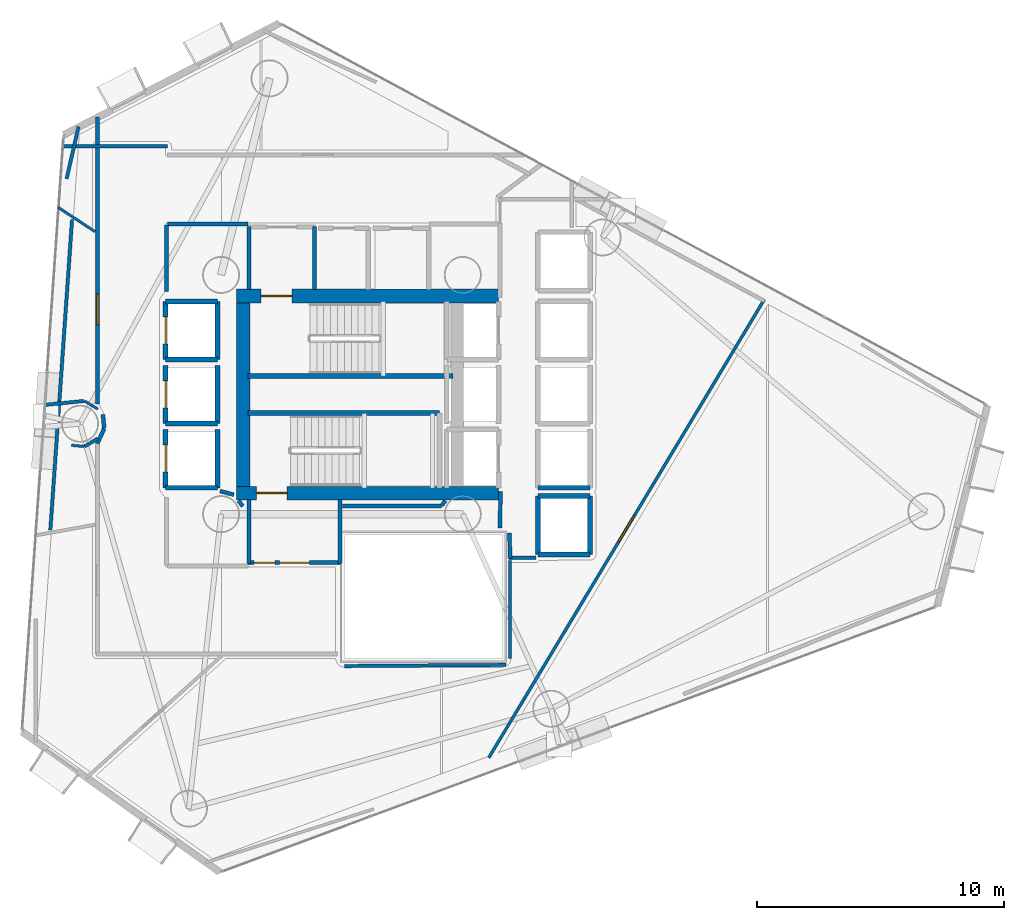
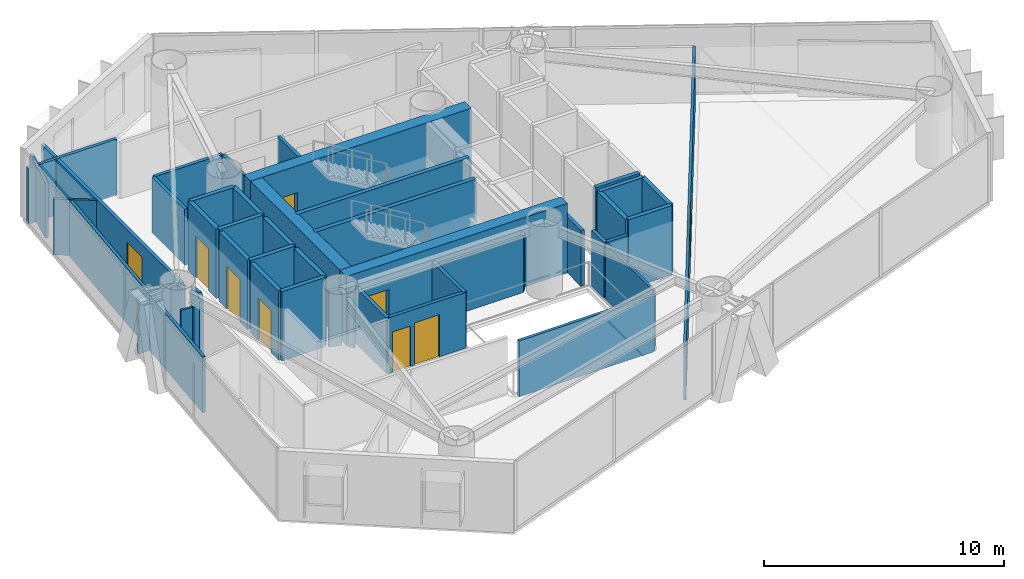
# One storey, part 16 of 21: 48 walls, 9 doors, 9 openings.
"""IFC4 building model written with IfcOpenShell, lengths in metres."""

from ifc_helpers import new_model, si_unit, direction, frame, frame_2d, origin, place, context, subcontext, project, spatial, rectangle, extrude, material, layer, layer_set, type_object, element, fill, save


model = new_model("IFC4")

# Units and contexts
model_context = context("Model", 3, precision=1e-05, world=origin(), true_north=direction((0.0, 1.0)))
body_context = subcontext(model_context, "Body", "Model", "MODEL_VIEW")
ifc_project = project(units=[si_unit("LENGTHUNIT", "METRE"), si_unit("AREAUNIT", "SQUARE_METRE"), si_unit("VOLUMEUNIT", "CUBIC_METRE"), si_unit("PLANEANGLEUNIT", "RADIAN"), si_unit("MASSUNIT", "GRAM", prefix="KILO")], contexts=[model_context])

# Site, building, storey
site_placement = place(None, origin())
site = spatial("IfcSite", under=ifc_project, at=site_placement, CompositionType="ELEMENT")
building_placement = place(site_placement, origin())
building = spatial("IfcBuilding", under=site, at=building_placement, Name="Qianvela Tower", CompositionType="ELEMENT")
storey_placement = place(building_placement, frame((0.0, 0.0, 127.39990234375)))
storey = spatial("IfcBuildingStorey", under=building, at=storey_placement, Name="L32", CompositionType="ELEMENT", Elevation=127.39990234375)

# Wall, opening, door
ifc_material_1 = material(Name="Concrete C60", Category="concrete")
ifc_layer_1 = layer(ifc_material_1, 0.550048828125)
ifc_layer_set_1 = layer_set([ifc_layer_1], Name="Concrete C60")
wall_type_1 = type_object("IfcWallType", Name="WT-CORE-550", PredefinedType="SHEAR", material=ifc_layer_set_1)
wall_1_placement = place(storey_placement, frame((29.22998046875, 32.695068359375, 0.0), z_axis=(0.0, 0.0, 1.0), x_axis=(1.0, 0.0, 0.0)))
wall_1 = element("IfcWall", 1, at=wall_1_placement, inside=storey, type_object=wall_type_1, Name="L32 North Core Shear Wall", PredefinedType="SHEAR", context=body_context, shape_type="SweptSolid", body=[
    extrude(rectangle(XDim=10.6201171875, YDim=0.550048828125, at=frame_2d((5.31005859375, 0.0))), origin(), (0.0, 0.0, 1.0), 3.52001953125),
])
opening_1_placement = place(wall_1_placement, frame((0.9951171875, 0.0, 0.0)))
opening_1 = element("IfcOpeningElement", 2, at=opening_1_placement, cuts=wall_1, Name="Opening D-ST1", PredefinedType="OPENING", context=body_context, shape_type="SweptSolid", body=[
    extrude(rectangle(XDim=1.25, YDim=2.14990234375, at=frame_2d((0.625, 1.074951171875))), frame((0.0, 0.284912109375, 0.0), z_axis=(0.0, -1.0, 0.0), x_axis=(1.0, 0.0, 0.0)), (0.0, 0.0, 1.0), 0.570068359375),
])
ifc_material_2 = material(Name="Galvanised Fire Steel Q355B", Category="steel")
door_type_1 = type_object("IfcDoorType", Name="DT-STAIR-FD90", OperationType="NOTDEFINED", PredefinedType="DOOR", material=ifc_material_2)
door_1_placement = place(opening_1_placement, origin())
door_1 = element("IfcDoor", 3, at=door_1_placement, inside=storey, type_object=door_type_1, Name="L32 Stair ST-1 Exit Door", OperationType="SINGLE_SWING_RIGHT", OverallHeight=2.14990234375, OverallWidth=1.25, PredefinedType="DOOR", context=body_context, shape_type="SweptSolid", body=[
    extrude(rectangle(XDim=1.25, YDim=2.14990234375, at=frame_2d((0.625, 1.074951171875))), frame((0.0, 0.02490234375, 0.0), z_axis=(0.0, -1.0, 0.0), x_axis=(1.0, 0.0, 0.0)), (0.0, 0.0, 1.0), 0.050048828125),
])
fill(opening_1, door_1)

wall_2_placement = place(storey_placement, frame((29.22998046875, 24.705078125, 0.0), z_axis=(0.0, 0.0, 1.0), x_axis=(1.0, 0.0, 0.0)))
wall_2 = element("IfcWall", 4, at=wall_2_placement, inside=storey, type_object=wall_type_1, Name="L32 South Core Shear Wall", PredefinedType="SHEAR", context=body_context, shape_type="SweptSolid", body=[
    extrude(rectangle(XDim=10.6201171875, YDim=0.550048828125, at=frame_2d((5.31005859375, 0.0))), origin(), (0.0, 0.0, 1.0), 3.52001953125),
])
opening_2_placement = place(wall_2_placement, frame((0.794921875, 0.0, 0.0)))
opening_2 = element("IfcOpeningElement", 5, at=opening_2_placement, cuts=wall_2, Name="Opening D-ST1", PredefinedType="OPENING", context=body_context, shape_type="SweptSolid", body=[
    extrude(rectangle(XDim=1.25, YDim=2.14990234375, at=frame_2d((0.625, 1.074951171875))), frame((0.0, 0.284912109375, 0.0), z_axis=(0.0, -1.0, 0.0), x_axis=(1.0, 0.0, 0.0)), (0.0, 0.0, 1.0), 0.570068359375),
])
door_2_placement = place(opening_2_placement, origin())
door_2 = element("IfcDoor", 6, at=door_2_placement, inside=storey, type_object=door_type_1, Name="L32 Stair ST-2 Exit Door", OperationType="SINGLE_SWING_RIGHT", OverallHeight=2.14990234375, OverallWidth=1.25, PredefinedType="DOOR", context=body_context, shape_type="SweptSolid", body=[
    extrude(rectangle(XDim=1.25, YDim=2.14990234375, at=frame_2d((0.625, 1.074951171875))), frame((0.0, 0.02490234375, 0.0), z_axis=(0.0, -1.0, 0.0), x_axis=(1.0, 0.0, 0.0)), (0.0, 0.0, 1.0), 0.050048828125),
])
fill(opening_2, door_2)

# Walls
wall_3_placement = place(storey_placement, frame((29.5048828125, 24.97998046875, 0.0), z_axis=(0.0, 0.0, 1.0), x_axis=(0.0, 1.0, 0.0)))
element("IfcWall", 7, at=wall_3_placement, inside=storey, type_object=wall_type_1, Name="L32 West Core Shear Wall", PredefinedType="SHEAR", context=body_context, shape_type="SweptSolid", body=[
    extrude(rectangle(XDim=7.43994140625, YDim=0.550048828125, at=frame_2d((3.719970703125, 0.0))), origin(), (0.0, 0.0, 1.0), 3.52001953125),
])
ifc_material_3 = material(Name="Fire-Rated Gypsum and Concrete Block", Category="concrete")
ifc_layer_2 = layer(ifc_material_3, 0.159912109375)
ifc_layer_set_2 = layer_set([ifc_layer_2], Name="Fire-Rated Gypsum and Concrete Block")
wall_type_2 = type_object("IfcWallType", Name="WT-CORR-160", PredefinedType="PARTITIONING", material=ifc_layer_set_2)
for number, where, z_axis, x_axis, name in (
    (8, (29.73095703125, 32.9580078125, 0.0), (0.0, 0.0, 1.0), (0.0, 1.0, 0.0), "L32 Partition 2"),
    (9, (32.388916015625, 35.52001953125, 0.0), (0.0, 0.0, 1.0), (0.0, -1.0, 0.0), "L32 Partition 4"),
):
    element("IfcWall", number, at=place(storey_placement, frame(where, z_axis=z_axis, x_axis=x_axis)), inside=storey, type_object=wall_type_2, Name=name, PredefinedType="PARTITIONING", context=body_context, shape_type="SweptSolid", body=[
        extrude(rectangle(XDim=2.56201171875, YDim=0.159912109375, at=frame_2d((1.281005859375, 0.0))), origin(), (0.0, 0.0, 1.0), 2.840087890625),
    ])

# Wall, openings, doors
wall_4_placement = place(storey_placement, frame((33.449951171875, 21.881103515625, 0.0), z_axis=(0.0, 0.0, 1.0), x_axis=(-1.0, 0.0, 0.0)))
wall_4 = element("IfcWall", 10, at=wall_4_placement, inside=storey, type_object=wall_type_2, Name="L32 Partition 5", PredefinedType="PARTITIONING", context=body_context, shape_type="SweptSolid", body=[
    extrude(rectangle(XDim=3.75, YDim=0.159912109375, at=frame_2d((1.875, 0.0))), origin(), (0.0, 0.0, 1.0), 2.840087890625),
])
opening_3_placement = place(wall_4_placement, frame((1.27490234375, 0.0, 0.0)))
opening_3 = element("IfcOpeningElement", 11, at=opening_3_placement, cuts=wall_4, Name="Opening D-LB1", PredefinedType="OPENING", context=body_context, shape_type="SweptSolid", body=[
    extrude(rectangle(XDim=1.199951171875, YDim=2.14990234375, at=frame_2d((0.60009765625, 1.074951171875))), frame((0.0, 0.08984375, 0.0), z_axis=(0.0, -1.0, 0.0), x_axis=(1.0, 0.0, 0.0)), (0.0, 0.0, 1.0), 0.179931640625),
])
opening_4_placement = place(wall_4_placement, frame((2.659912109375, 0.0, 0.0)))
opening_4 = element("IfcOpeningElement", 12, at=opening_4_placement, cuts=wall_4, Name="Opening D-LB2", PredefinedType="OPENING", context=body_context, shape_type="SweptSolid", body=[
    extrude(rectangle(XDim=0.860107421875, YDim=2.050048828125, at=frame_2d((0.43017578125, 1.02490234375))), frame((0.0, 0.08984375, 0.0), z_axis=(0.0, -1.0, 0.0), x_axis=(1.0, 0.0, 0.0)), (0.0, 0.0, 1.0), 0.179931640625),
])
ifc_material_4 = material(Name="Glazed Fire-Rated Steel Frame", Category="steel")
door_type_2 = type_object("IfcDoorType", Name="DT-LOBBY-FD90", OperationType="NOTDEFINED", PredefinedType="DOOR", material=ifc_material_4)
door_3_placement = place(opening_3_placement, origin())
door_3 = element("IfcDoor", 13, at=door_3_placement, inside=storey, type_object=door_type_2, Name="L32 Door L32 Firefighting Lobby South to L32 Floor Corridor", OperationType="SINGLE_SWING_LEFT", OverallHeight=2.14990234375, OverallWidth=1.199951171875, PredefinedType="DOOR", context=body_context, shape_type="SweptSolid", body=[
    extrude(rectangle(XDim=1.199951171875, YDim=2.14990234375, at=frame_2d((0.60009765625, 1.074951171875))), frame((0.0, 0.02490234375, 0.0), z_axis=(0.0, -1.0, 0.0), x_axis=(1.0, 0.0, 0.0)), (0.0, 0.0, 1.0), 0.050048828125),
])
fill(opening_3, door_3)
ifc_material_5 = material(Name="Insulated Steel Fire Door Q355B", Category="steel")
door_type_3 = type_object("IfcDoorType", Name="DT-LOBBY-FD90-860", OperationType="NOTDEFINED", PredefinedType="DOOR", material=ifc_material_5)
door_4_placement = place(opening_4_placement, origin())
door_4 = element("IfcDoor", 14, at=door_4_placement, inside=storey, type_object=door_type_3, Name="L32 Door L32 Firefighting Lobby South to L32 Floor Corridor", OperationType="SINGLE_SWING_LEFT", OverallHeight=2.050048828125, OverallWidth=0.860107421875, PredefinedType="DOOR", context=body_context, shape_type="SweptSolid", body=[
    extrude(rectangle(XDim=0.860107421875, YDim=2.050048828125, at=frame_2d((0.43017578125, 1.02490234375))), frame((0.0, 0.02490234375, 0.0), z_axis=(0.0, -1.0, 0.0), x_axis=(1.0, 0.0, 0.0)), (0.0, 0.0, 1.0), 0.050048828125),
])
fill(opening_4, door_4)

# Walls
for number, where, z_axis, x_axis, name in (
    (15, (29.73095703125, 21.85009765625, 0.0), (0.0, 0.0, 1.0), (0.0, 1.0, 0.0), "L32 Partition 6"),
    (16, (33.4189453125, 24.44189453125, 0.0), (0.0, 0.0, 1.0), (0.0, -1.0, 0.0), "L32 Partition 8"),
):
    element("IfcWall", number, at=place(storey_placement, frame(where, z_axis=z_axis, x_axis=x_axis)), inside=storey, type_object=wall_type_2, Name=name, PredefinedType="PARTITIONING", context=body_context, shape_type="SweptSolid", body=[
        extrude(rectangle(XDim=2.591796875, YDim=0.159912109375, at=frame_2d((1.2958984375, 0.0))), origin(), (0.0, 0.0, 1.0), 2.840087890625),
    ])
wall_5_placement = place(storey_placement, frame((41.360107421875, 22.0810546875, 0.0), z_axis=(0.0, 0.0, 1.0), x_axis=(-1.0, 0.0, 0.0)))
element("IfcWall", 17, at=wall_5_placement, inside=storey, type_object=wall_type_2, Name="L32 Partition 15", PredefinedType="PARTITIONING", context=body_context, shape_type="SweptSolid", body=[
    extrude(rectangle(XDim=1.080078125, YDim=0.159912109375, at=frame_2d((0.5400390625, 0.0))), origin(), (0.0, 0.0, 1.0), 2.840087890625),
])
wall_6_placement = place(storey_placement, frame((40.31103515625, 22.05029296875, 0.0), z_axis=(0.0, 0.0, 1.0), x_axis=(-0.011836292006, 0.999929948642, 0.0)))
element("IfcWall", 18, at=wall_6_placement, inside=storey, type_object=wall_type_2, Name="L32 Partition 16", PredefinedType="PARTITIONING", context=body_context, shape_type="SweptSolid", body=[
    extrude(rectangle(XDim=1.03125, YDim=0.159912109375, at=frame_2d((0.515625, 0.0))), origin(), (0.0, 0.0, 1.0), 2.840087890625),
])
wall_7_placement = place(storey_placement, frame((39.910888671875, 23.27978515625, 0.0), z_axis=(0.0, 0.0, 1.0), x_axis=(0.009397771291, 0.999955839972, 0.0)))
element("IfcWall", 19, at=wall_7_placement, inside=storey, type_object=wall_type_2, Name="L32 Partition 17", PredefinedType="PARTITIONING", context=body_context, shape_type="SweptSolid", body=[
    extrude(rectangle(XDim=1.480712890625, YDim=0.159912109375, at=frame_2d((0.740234375, 0.0))), origin(), (0.0, 0.0, 1.0), 2.840087890625),
])
wall_8_placement = place(storey_placement, frame((29.47998046875, 24.1689453125, 0.0), z_axis=(0.0, 0.0, 1.0), x_axis=(-0.607608252226, 0.794236873878, 0.0)))
element("IfcWall", 20, at=wall_8_placement, inside=storey, type_object=wall_type_2, Name="L32 Partition 30", PredefinedType="PARTITIONING", context=body_context, shape_type="SweptSolid", body=[
    extrude(rectangle(XDim=0.286376953125, YDim=0.159912109375, at=frame_2d((0.14306640625, 0.0))), origin(), (0.0, 0.0, 1.0), 2.840087890625),
])
wall_9_placement = place(storey_placement, frame((29.113525390625, 24.63671875, 0.0), z_axis=(0.0, 0.0, 1.0), x_axis=(-0.966199685486, 0.257794817183, 0.0)))
element("IfcWall", 21, at=wall_9_placement, inside=storey, type_object=wall_type_2, Name="L32 Partition 31", PredefinedType="PARTITIONING", context=body_context, shape_type="SweptSolid", body=[
    extrude(rectangle(XDim=0.574951171875, YDim=0.159912109375, at=frame_2d((0.28759765625, 0.0))), origin(), (0.0, 0.0, 1.0), 2.840087890625),
])
wall_10_placement = place(storey_placement, frame((37.694091796875, 24.396484375, 0.0), z_axis=(0.0, 0.0, 1.0), x_axis=(-0.607118658061, -0.794611184815, 0.0)))
element("IfcWall", 22, at=wall_10_placement, inside=storey, type_object=wall_type_2, Name="L32 Partition 38", PredefinedType="PARTITIONING", context=body_context, shape_type="SweptSolid", body=[
    extrude(rectangle(XDim=0.24609375, YDim=0.159912109375, at=frame_2d((0.123046875, 0.0))), origin(), (0.0, 0.0, 1.0), 2.840087890625),
])
wall_11_placement = place(storey_placement, frame((37.544677734375, 24.180908203125, 0.0), z_axis=(0.0, 0.0, 1.0), x_axis=(-1.0, 0.0, 0.0)))
element("IfcWall", 23, at=wall_11_placement, inside=storey, type_object=wall_type_2, Name="L32 Partition 39", PredefinedType="PARTITIONING", context=body_context, shape_type="SweptSolid", body=[
    extrude(rectangle(XDim=4.0146484375, YDim=0.159912109375, at=frame_2d((2.00732421875, 0.0))), origin(), (0.0, 0.0, 1.0), 2.840087890625),
])

# Wall, opening, door
wall_12_placement = place(storey_placement, frame((23.5810546875, 28.306640625, 0.0), z_axis=(0.0, 0.0, 1.0), x_axis=(0.0, 1.0, 0.0)))
wall_12 = element("IfcWall", 24, at=wall_12_placement, inside=storey, type_object=wall_type_2, Name="L32 Partition 40", PredefinedType="PARTITIONING", context=body_context, shape_type="SweptSolid", body=[
    extrude(rectangle(XDim=11.655517578125, YDim=0.159912109375, at=frame_2d((5.82763671875, 0.0))), origin(), (0.0, 0.0, 1.0), 2.840087890625),
])
opening_5_placement = place(wall_12_placement, frame((3.223388671875, 0.0, 0.0)))
opening_5 = element("IfcOpeningElement", 25, at=opening_5_placement, cuts=wall_12, Name="Opening D-LG1", PredefinedType="OPENING", context=body_context, shape_type="SweptSolid", body=[
    extrude(rectangle(XDim=1.25, YDim=2.199951171875, at=frame_2d((0.625, 1.10009765625))), frame((0.0, 0.08984375, 0.0), z_axis=(0.0, -1.0, 0.0), x_axis=(1.0, 0.0, 0.0)), (0.0, 0.0, 1.0), 0.179931640625),
])
ifc_material_6 = material(Name="Anodised Aluminium Acoustic Glass Door", Category="aluminium")
door_type_4 = type_object("IfcDoorType", Name="DT-LOUNGE-1250", OperationType="NOTDEFINED", PredefinedType="DOOR", material=ifc_material_6)
door_5_placement = place(opening_5_placement, origin())
door_5 = element("IfcDoor", 26, at=door_5_placement, inside=storey, type_object=door_type_4, Name="L32 Door Panoramic Study Lounge L32-03 to L32 Floor Corridor", OperationType="SINGLE_SWING_RIGHT", OverallHeight=2.199951171875, OverallWidth=1.25, PredefinedType="DOOR", context=body_context, shape_type="SweptSolid", body=[
    extrude(rectangle(XDim=1.25, YDim=2.199951171875, at=frame_2d((0.625, 1.10009765625))), frame((0.0, 0.02490234375, 0.0), z_axis=(0.0, -1.0, 0.0), x_axis=(1.0, 0.0, 0.0)), (0.0, 0.0, 1.0), 0.050048828125),
])
fill(opening_5, door_5)

# Walls
wall_13_placement = place(storey_placement, frame((22.166259765625, 38.76904296875, 0.0), z_axis=(0.0, 0.0, 1.0), x_axis=(1.0, 0.0, 0.0)))
element("IfcWall", 27, at=wall_13_placement, inside=storey, type_object=wall_type_2, Name="L32 Partition 41", PredefinedType="PARTITIONING", context=body_context, shape_type="SweptSolid", body=[
    extrude(rectangle(XDim=4.253662109375, YDim=0.159912109375, at=frame_2d((2.126953125, 0.0))), origin(), (0.0, 0.0, 1.0), 2.840087890625),
])
wall_14_placement = place(storey_placement, frame((29.699951171875, 35.611083984375, 0.0), z_axis=(0.0, 0.0, 1.0), x_axis=(-1.0, 0.0, 0.0)))
element("IfcWall", 28, at=wall_14_placement, inside=storey, type_object=wall_type_2, Name="L32 Partition 46 seg 4", PredefinedType="PARTITIONING", context=body_context, shape_type="SweptSolid", body=[
    extrude(rectangle(XDim=3.280029296875, YDim=0.159912109375, at=frame_2d((1.64013671875, 0.0))), origin(), (0.0, 0.0, 1.0), 2.840087890625),
])
wall_15_placement = place(storey_placement, frame((26.388916015625, 35.580078125, 0.0), z_axis=(0.0, 0.0, 1.0), x_axis=(0.0, -1.0, 0.0)))
element("IfcWall", 29, at=wall_15_placement, inside=storey, type_object=wall_type_2, Name="L32 Partition 47", PredefinedType="PARTITIONING", context=body_context, shape_type="SweptSolid", body=[
    extrude(rectangle(XDim=2.71044921875, YDim=0.159912109375, at=frame_2d((1.355224609375, 0.0))), origin(), (0.0, 0.0, 1.0), 2.840087890625),
])
wall_16_placement = place(storey_placement, frame((23.578125, 26.71240234375, 0.0), z_axis=(0.0, 0.0, 1.0), x_axis=(0.421251946418, 0.906943657367, 0.0)))
element("IfcWall", 30, at=wall_16_placement, inside=storey, type_object=wall_type_2, Name="L32 Partition 53", PredefinedType="PARTITIONING", context=body_context, shape_type="SweptSolid", body=[
    extrude(rectangle(XDim=0.6630859375, YDim=0.159912109375, at=frame_2d((0.33154296875, 0.0))), origin(), (0.0, 0.0, 1.0), 2.840087890625),
])
wall_17_placement = place(storey_placement, frame((23.860107421875, 27.329833984375, 0.0), z_axis=(0.0, 0.0, 1.0), x_axis=(-0.098000919071, 0.995186324193, 0.0)))
element("IfcWall", 31, at=wall_17_placement, inside=storey, type_object=wall_type_2, Name="L32 Partition 54", PredefinedType="PARTITIONING", context=body_context, shape_type="SweptSolid", body=[
    extrude(rectangle(XDim=0.56298828125, YDim=0.159912109375, at=frame_2d((0.281494140625, 0.0))), origin(), (0.0, 0.0, 1.0), 2.840087890625),
])
ifc_material_7 = material(Name="Lightweight Gypsum Room Partition")
ifc_layer_3 = layer(ifc_material_7, 0.10498046875)
ifc_layer_set_3 = layer_set([ifc_layer_3], Name="Lightweight Gypsum Room Partition")
wall_type_3 = type_object("IfcWallType", Name="WT-PART-105", PredefinedType="PARTITIONING", material=ifc_layer_set_3)
wall_18_placement = place(storey_placement, frame((23.487060546875, 35.304931640625, 0.0), z_axis=(0.0, 0.0, 1.0), x_axis=(-0.835441859879, 0.549578837623, 0.0)))
element("IfcWall", 32, at=wall_18_placement, inside=storey, type_object=wall_type_3, Name="L32 Partition 65", PredefinedType="PARTITIONING", context=body_context, shape_type="SweptSolid", body=[
    extrude(rectangle(XDim=1.785888671875, YDim=0.10498046875, at=frame_2d((0.89306640625, 0.0))), origin(), (0.0, 0.0, 1.0), 2.840087890625),
])
wall_19_placement = place(storey_placement, frame((23.600341796875, 28.109619140625, 0.0), z_axis=(0.0, 0.0, 1.0), x_axis=(-0.851712341449, 0.524009625316, 0.0)))
element("IfcWall", 33, at=wall_19_placement, inside=storey, type_object=wall_type_3, Name="L32 Partition 68", PredefinedType="PARTITIONING", context=body_context, shape_type="SweptSolid", body=[
    extrude(rectangle(XDim=0.62060546875, YDim=0.10498046875, at=frame_2d((0.310302734375, 0.0))), origin(), (0.0, 0.0, 1.0), 2.840087890625),
])
wall_20_placement = place(storey_placement, frame((22.526611328125, 26.644287109375, 0.0), z_axis=(0.0, 0.0, 1.0), x_axis=(0.995191506225, -0.09794828195, 0.0)))
element("IfcWall", 34, at=wall_20_placement, inside=storey, type_object=wall_type_3, Name="L32 Partition 74", PredefinedType="PARTITIONING", context=body_context, shape_type="SweptSolid", body=[
    extrude(rectangle(XDim=0.5283203125, YDim=0.10498046875, at=frame_2d((0.26416015625, 0.0))), origin(), (0.0, 0.0, 1.0), 2.840087890625),
])

# Wall, opening, door
ifc_material_8 = material(Name="Insulated Gypsum Stud Partition")
ifc_layer_4 = layer(ifc_material_8, 0.1201171875)
ifc_layer_set_4 = layer_set([ifc_layer_4], Name="Insulated Gypsum Stud Partition")
wall_type_4 = type_object("IfcWallType", Name="WT-PART-120", PredefinedType="PARTITIONING", material=ifc_layer_set_4)
wall_21_placement = place(storey_placement, frame((50.61669921875, 32.53662109375, 0.0), z_axis=(0.0, 0.0, 1.0), x_axis=(-0.515345747217, -0.85698235736, 0.0)))
wall_21 = element("IfcWall", 35, at=wall_21_placement, inside=storey, type_object=wall_type_4, Name="L32 Partition 88", PredefinedType="PARTITIONING", context=body_context, shape_type="SweptSolid", body=[
    extrude(rectangle(XDim=21.662353515625, YDim=0.1201171875, at=frame_2d((10.8310546875, 0.0))), origin(), (0.0, 0.0, 1.0), 2.840087890625),
])
opening_6_placement = place(wall_21_placement, frame((10.2060546875, 0.0, 0.0)))
opening_6 = element("IfcOpeningElement", 36, at=opening_6_placement, cuts=wall_21, Name="Opening D-LG1", PredefinedType="OPENING", context=body_context, shape_type="SweptSolid", body=[
    extrude(rectangle(XDim=1.25, YDim=2.199951171875, at=frame_2d((0.625, 1.10009765625))), frame((0.0, 0.070068359375, 0.0), z_axis=(0.0, -1.0, 0.0), x_axis=(1.0, 0.0, 0.0)), (0.0, 0.0, 1.0), 0.14013671875),
])
door_6_placement = place(opening_6_placement, origin())
door_6 = element("IfcDoor", 37, at=door_6_placement, inside=storey, type_object=door_type_4, Name="L32 Door Academic Advising Lounge L32-04B to Peer Support Study Room L32-04A", OperationType="SINGLE_SWING_RIGHT", OverallHeight=2.199951171875, OverallWidth=1.25, PredefinedType="DOOR", context=body_context, shape_type="SweptSolid", body=[
    extrude(rectangle(XDim=1.25, YDim=2.199951171875, at=frame_2d((0.625, 1.10009765625))), frame((0.0, 0.02490234375, 0.0), z_axis=(0.0, -1.0, 0.0), x_axis=(1.0, 0.0, 0.0)), (0.0, 0.0, 1.0), 0.050048828125),
])
fill(opening_6, door_6)

# Walls
wall_22_placement = place(storey_placement, frame((40.31103515625, 18.0, 0.0), z_axis=(0.0, 0.0, 1.0), x_axis=(0.0, 1.0, 0.0)))
element("IfcWall", 38, at=wall_22_placement, inside=storey, type_object=wall_type_4, Name="L32 Partition 94 seg 1", PredefinedType="PARTITIONING", context=body_context, shape_type="SweptSolid", body=[
    extrude(rectangle(XDim=3.969970703125, YDim=0.1201171875, at=frame_2d((1.98486328125, 0.0))), origin(), (0.0, 0.0, 1.0), 2.840087890625),
])
ifc_material_9 = material(Name="Acoustic Double Gypsum Stud Partition")
ifc_layer_5 = layer(ifc_material_9, 0.139892578125)
ifc_layer_set_5 = layer_set([ifc_layer_5], Name="Acoustic Double Gypsum Stud Partition")
wall_type_5 = type_object("IfcWallType", Name="WT-ROOM-140", PredefinedType="PARTITIONING", material=ifc_layer_set_5)
wall_23_placement = place(storey_placement, frame((22.33447265625, 37.447998046875, 0.0), z_axis=(0.0, 0.0, 1.0), x_axis=(0.223062674573, 0.974804105045, 0.0)))
element("IfcWall", 39, at=wall_23_placement, inside=storey, type_object=wall_type_5, Name="L32 Partition 66 seg 1", PredefinedType="PARTITIONING", context=body_context, shape_type="SweptSolid", body=[
    extrude(rectangle(XDim=2.173583984375, YDim=0.139892578125, at=frame_2d((1.0869140625, 0.0))), origin(), (0.0, 0.0, 1.0), 2.840087890625),
])
wall_24_placement = place(storey_placement, frame((23.052490234375, 28.439453125, 0.0), z_axis=(0.0, 0.0, 1.0), x_axis=(-0.99517438114, -0.098122123514, 0.0)))
element("IfcWall", 40, at=wall_24_placement, inside=storey, type_object=wall_type_5, Name="L32 Partition 69", PredefinedType="PARTITIONING", context=body_context, shape_type="SweptSolid", body=[
    extrude(rectangle(XDim=1.627197265625, YDim=0.139892578125, at=frame_2d((0.8134765625, 0.0))), origin(), (0.0, 0.0, 1.0), 2.840087890625),
])
wall_25_placement = place(storey_placement, frame((23.07177734375, 26.596923828125, 0.0), z_axis=(0.0, 0.0, 1.0), x_axis=(0.853675286084, 0.520805631622, 0.0)))
element("IfcWall", 41, at=wall_25_placement, inside=storey, type_object=wall_type_5, Name="L32 Partition 75", PredefinedType="PARTITIONING", context=body_context, shape_type="SweptSolid", body=[
    extrude(rectangle(XDim=0.613037109375, YDim=0.139892578125, at=frame_2d((0.306640625, 0.0))), origin(), (0.0, 0.0, 1.0), 2.840087890625),
])
wall_26_placement = place(storey_placement, frame((21.67529296875, 23.20458984375, 0.0), z_axis=(0.0, 0.0, 1.0), x_axis=(0.069755805167, 0.997564097011, 0.0)))
element("IfcWall", 42, at=wall_26_placement, inside=storey, type_object=wall_type_5, Name="L32 Partition 78", PredefinedType="PARTITIONING", context=body_context, shape_type="SweptSolid", body=[
    extrude(rectangle(XDim=12.624267578125, YDim=0.139892578125, at=frame_2d((6.31201171875, 0.0))), origin(), (0.0, 0.0, 1.0), 2.840087890625),
])
wall_27_placement = place(storey_placement, frame((33.60009765625, 17.68896484375, 0.0), z_axis=(0.0, 0.0, 1.0), x_axis=(0.999974170588, 0.007187360901, 0.0)))
element("IfcWall", 43, at=wall_27_placement, inside=storey, type_object=wall_type_5, Name="L32 Partition 93", PredefinedType="PARTITIONING", context=body_context, shape_type="SweptSolid", body=[
    extrude(rectangle(XDim=6.555908203125, YDim=0.139892578125, at=frame_2d((3.27783203125, 0.0))), origin(), (0.0, 0.0, 1.0), 2.840087890625),
])
ifc_material_10 = material(Name="Concrete C50", Category="concrete")
ifc_layer_6 = layer(ifc_material_10, 0.199951171875)
ifc_layer_set_6 = layer_set([ifc_layer_6], Name="Concrete C50")
wall_type_6 = type_object("IfcWallType", Name="WT-SHAFT-200", PredefinedType="SOLIDWALL", material=ifc_layer_set_6)
wall_28_placement = place(storey_placement, frame((29.699951171875, 29.449951171875, 0.0), z_axis=(0.0, 0.0, 1.0), x_axis=(1.0, 0.0, 0.0)))
element("IfcWall", 44, at=wall_28_placement, inside=storey, type_object=wall_type_6, Name="L32 Stair ST-1 South Wall", PredefinedType="SOLIDWALL", context=body_context, shape_type="SweptSolid", body=[
    extrude(rectangle(XDim=8.300048828125, YDim=0.199951171875, at=frame_2d((4.14990234375, 0.0))), origin(), (0.0, 0.0, 1.0), 3.52001953125),
])
wall_29_placement = place(storey_placement, frame((29.699951171875, 27.9599609375, 0.0), z_axis=(0.0, 0.0, 1.0), x_axis=(1.0, 0.0, 0.0)))
element("IfcWall", 45, at=wall_29_placement, inside=storey, type_object=wall_type_6, Name="L32 Stair ST-2 North Wall", PredefinedType="SOLIDWALL", context=body_context, shape_type="SweptSolid", body=[
    extrude(rectangle(XDim=7.75, YDim=0.199951171875, at=frame_2d((3.875, 0.0))), origin(), (0.0, 0.0, 1.0), 3.52001953125),
])
wall_30_placement = place(storey_placement, frame((28.449951171875, 30.1201171875, 0.0), z_axis=(0.0, 0.0, 1.0), x_axis=(0.0, 1.0, 0.0)))
element("IfcWall", 46, at=wall_30_placement, inside=storey, type_object=wall_type_6, Name="L32 Lift PL-L1 E Shaft Wall", PredefinedType="SOLIDWALL", context=body_context, shape_type="SweptSolid", body=[
    extrude(rectangle(XDim=2.35986328125, YDim=0.199951171875, at=frame_2d((1.179931640625, 0.0))), origin(), (0.0, 0.0, 1.0), 3.52001953125),
])

# Wall, opening, door
wall_31_placement = place(storey_placement, frame((26.35009765625, 30.1201171875, 0.0), z_axis=(0.0, 0.0, 1.0), x_axis=(0.0, 1.0, 0.0)))
wall_31 = element("IfcWall", 47, at=wall_31_placement, inside=storey, type_object=wall_type_6, Name="L32 Lift PL-L1 W Shaft Wall", PredefinedType="SOLIDWALL", context=body_context, shape_type="SweptSolid", body=[
    extrude(rectangle(XDim=2.35986328125, YDim=0.199951171875, at=frame_2d((1.179931640625, 0.0))), origin(), (0.0, 0.0, 1.0), 3.52001953125),
])
opening_7_placement = place(wall_31_placement, frame((0.6298828125, 0.0, 0.0)))
opening_7 = element("IfcOpeningElement", 48, at=opening_7_placement, cuts=wall_31, Name="Opening LD-01", PredefinedType="OPENING", context=body_context, shape_type="SweptSolid", body=[
    extrude(rectangle(XDim=1.10009765625, YDim=2.14990234375, at=frame_2d((0.550048828125, 1.074951171875))), frame((0.0, 0.10986328125, 0.0), z_axis=(0.0, -1.0, 0.0), x_axis=(1.0, 0.0, 0.0)), (0.0, 0.0, 1.0), 0.219970703125),
])
ifc_material_11 = material(Name="Brushed Stainless Steel Lift Landing Door", Category="steel")
door_type_5 = type_object("IfcDoorType", Name="DT-LIFT-SLIDE-1100", OperationType="SLIDING_TO_LEFT", PredefinedType="DOOR", material=ifc_material_11)
door_7_placement = place(opening_7_placement, origin())
door_7 = element("IfcDoor", 49, at=door_7_placement, inside=storey, type_object=door_type_5, Name="L32 Lift PL-L1 Sliding Landing Door", OperationType="SLIDING_TO_LEFT", OverallHeight=2.14990234375, OverallWidth=1.10009765625, PredefinedType="DOOR", context=body_context, shape_type="SweptSolid", body=[
    extrude(rectangle(XDim=1.10009765625, YDim=2.14990234375, at=frame_2d((0.550048828125, 1.074951171875))), frame((0.0, 0.02490234375, 0.0), z_axis=(0.0, -1.0, 0.0), x_axis=(1.0, 0.0, 0.0)), (0.0, 0.0, 1.0), 0.050048828125),
])
fill(opening_7, door_7)

# Walls
for number, where, z_axis, x_axis, name in (
    (50, (26.35009765625, 32.47998046875, 0.0), (0.0, 0.0, 1.0), (1.0, 0.0, 0.0), "L32 Lift PL-L1 N Shaft Wall"),
    (51, (26.35009765625, 30.1201171875, 0.0), (0.0, 0.0, 1.0), (1.0, 0.0, 0.0), "L32 Lift PL-L1 S Shaft Wall"),
):
    element("IfcWall", number, at=place(storey_placement, frame(where, z_axis=z_axis, x_axis=x_axis)), inside=storey, type_object=wall_type_6, Name=name, PredefinedType="SOLIDWALL", context=body_context, shape_type="SweptSolid", body=[
        extrude(rectangle(XDim=2.099853515625, YDim=0.199951171875, at=frame_2d((1.0498046875, 0.0))), origin(), (0.0, 0.0, 1.0), 3.52001953125),
    ])
wall_32_placement = place(storey_placement, frame((28.449951171875, 27.52001953125, 0.0), z_axis=(0.0, 0.0, 1.0), x_axis=(0.0, 1.0, 0.0)))
element("IfcWall", 52, at=wall_32_placement, inside=storey, type_object=wall_type_6, Name="L32 Lift PL-L2 E Shaft Wall", PredefinedType="SOLIDWALL", context=body_context, shape_type="SweptSolid", body=[
    extrude(rectangle(XDim=2.35986328125, YDim=0.199951171875, at=frame_2d((1.179931640625, 0.0))), origin(), (0.0, 0.0, 1.0), 3.52001953125),
])

# Wall, opening, door
wall_33_placement = place(storey_placement, frame((26.35009765625, 27.52001953125, 0.0), z_axis=(0.0, 0.0, 1.0), x_axis=(0.0, 1.0, 0.0)))
wall_33 = element("IfcWall", 53, at=wall_33_placement, inside=storey, type_object=wall_type_6, Name="L32 Lift PL-L2 W Shaft Wall", PredefinedType="SOLIDWALL", context=body_context, shape_type="SweptSolid", body=[
    extrude(rectangle(XDim=2.35986328125, YDim=0.199951171875, at=frame_2d((1.179931640625, 0.0))), origin(), (0.0, 0.0, 1.0), 3.52001953125),
])
opening_8_placement = place(wall_33_placement, frame((0.6298828125, 0.0, 0.0)))
opening_8 = element("IfcOpeningElement", 54, at=opening_8_placement, cuts=wall_33, Name="Opening LD-01", PredefinedType="OPENING", context=body_context, shape_type="SweptSolid", body=[
    extrude(rectangle(XDim=1.10009765625, YDim=2.14990234375, at=frame_2d((0.550048828125, 1.074951171875))), frame((0.0, 0.10986328125, 0.0), z_axis=(0.0, -1.0, 0.0), x_axis=(1.0, 0.0, 0.0)), (0.0, 0.0, 1.0), 0.219970703125),
])
door_8_placement = place(opening_8_placement, origin())
door_8 = element("IfcDoor", 55, at=door_8_placement, inside=storey, type_object=door_type_5, Name="L32 Lift PL-L2 Sliding Landing Door", OperationType="SLIDING_TO_LEFT", OverallHeight=2.14990234375, OverallWidth=1.10009765625, PredefinedType="DOOR", context=body_context, shape_type="SweptSolid", body=[
    extrude(rectangle(XDim=1.10009765625, YDim=2.14990234375, at=frame_2d((0.550048828125, 1.074951171875))), frame((0.0, 0.02490234375, 0.0), z_axis=(0.0, -1.0, 0.0), x_axis=(1.0, 0.0, 0.0)), (0.0, 0.0, 1.0), 0.050048828125),
])
fill(opening_8, door_8)

# Walls
wall_34_placement = place(storey_placement, frame((26.35009765625, 27.52001953125, 0.0), z_axis=(0.0, 0.0, 1.0), x_axis=(1.0, 0.0, 0.0)))
element("IfcWall", 56, at=wall_34_placement, inside=storey, type_object=wall_type_6, Name="L32 Lift PL-L2 S Shaft Wall", PredefinedType="SOLIDWALL", context=body_context, shape_type="SweptSolid", body=[
    extrude(rectangle(XDim=2.099853515625, YDim=0.199951171875, at=frame_2d((1.0498046875, 0.0))), origin(), (0.0, 0.0, 1.0), 3.52001953125),
])
wall_35_placement = place(storey_placement, frame((28.449951171875, 24.919921875, 0.0), z_axis=(0.0, 0.0, 1.0), x_axis=(0.0, 1.0, 0.0)))
element("IfcWall", 57, at=wall_35_placement, inside=storey, type_object=wall_type_6, Name="L32 Lift PL-L3 E Shaft Wall", PredefinedType="SOLIDWALL", context=body_context, shape_type="SweptSolid", body=[
    extrude(rectangle(XDim=2.360107421875, YDim=0.199951171875, at=frame_2d((1.18017578125, 0.0))), origin(), (0.0, 0.0, 1.0), 3.52001953125),
])

# Wall, opening, door
wall_36_placement = place(storey_placement, frame((26.35009765625, 24.919921875, 0.0), z_axis=(0.0, 0.0, 1.0), x_axis=(0.0, 1.0, 0.0)))
wall_36 = element("IfcWall", 58, at=wall_36_placement, inside=storey, type_object=wall_type_6, Name="L32 Lift PL-L3 W Shaft Wall", PredefinedType="SOLIDWALL", context=body_context, shape_type="SweptSolid", body=[
    extrude(rectangle(XDim=2.360107421875, YDim=0.199951171875, at=frame_2d((1.18017578125, 0.0))), origin(), (0.0, 0.0, 1.0), 3.52001953125),
])
opening_9_placement = place(wall_36_placement, frame((0.6298828125, 0.0, 0.0)))
opening_9 = element("IfcOpeningElement", 59, at=opening_9_placement, cuts=wall_36, Name="Opening LD-01", PredefinedType="OPENING", context=body_context, shape_type="SweptSolid", body=[
    extrude(rectangle(XDim=1.10009765625, YDim=2.14990234375, at=frame_2d((0.550048828125, 1.074951171875))), frame((0.0, 0.10986328125, 0.0), z_axis=(0.0, -1.0, 0.0), x_axis=(1.0, 0.0, 0.0)), (0.0, 0.0, 1.0), 0.219970703125),
])
door_9_placement = place(opening_9_placement, origin())
door_9 = element("IfcDoor", 60, at=door_9_placement, inside=storey, type_object=door_type_5, Name="L32 Lift PL-L3 Sliding Landing Door", OperationType="SLIDING_TO_LEFT", OverallHeight=2.14990234375, OverallWidth=1.10009765625, PredefinedType="DOOR", context=body_context, shape_type="SweptSolid", body=[
    extrude(rectangle(XDim=1.10009765625, YDim=2.14990234375, at=frame_2d((0.550048828125, 1.074951171875))), frame((0.0, 0.02490234375, 0.0), z_axis=(0.0, -1.0, 0.0), x_axis=(1.0, 0.0, 0.0)), (0.0, 0.0, 1.0), 0.050048828125),
])
fill(opening_9, door_9)

# Walls
wall_37_placement = place(storey_placement, frame((26.35009765625, 24.919921875, 0.0), z_axis=(0.0, 0.0, 1.0), x_axis=(1.0, 0.0, 0.0)))
element("IfcWall", 61, at=wall_37_placement, inside=storey, type_object=wall_type_6, Name="L32 Lift PL-L3 S Shaft Wall", PredefinedType="SOLIDWALL", context=body_context, shape_type="SweptSolid", body=[
    extrude(rectangle(XDim=2.099853515625, YDim=0.199951171875, at=frame_2d((1.0498046875, 0.0))), origin(), (0.0, 0.0, 1.0), 3.52001953125),
])
wall_38_placement = place(storey_placement, frame((41.449951171875, 24.919921875, 0.0), z_axis=(0.0, 0.0, 1.0), x_axis=(1.0, 0.0, 0.0)))
element("IfcWall", 62, at=wall_38_placement, inside=storey, type_object=wall_type_6, Name="L32 Lift PL-M3 S Shaft Wall", PredefinedType="SOLIDWALL", context=body_context, shape_type="SweptSolid", body=[
    extrude(rectangle(XDim=2.10009765625, YDim=0.199951171875, at=frame_2d((1.050048828125, 0.0))), origin(), (0.0, 0.0, 1.0), 3.52001953125),
])
for number, where, z_axis, x_axis, name in (
    (63, (43.550048828125, 22.219970703125, 0.0), (0.0, 0.0, 1.0), (0.0, 1.0, 0.0), "L32 Lift PL-H2 E Shaft Wall"),
    (64, (41.449951171875, 22.219970703125, 0.0), (0.0, 0.0, 1.0), (0.0, 1.0, 0.0), "L32 Lift PL-H2 W Shaft Wall"),
):
    element("IfcWall", number, at=place(storey_placement, frame(where, z_axis=z_axis, x_axis=x_axis)), inside=storey, type_object=wall_type_6, Name=name, PredefinedType="SOLIDWALL", context=body_context, shape_type="SweptSolid", body=[
        extrude(rectangle(XDim=2.360107421875, YDim=0.199951171875, at=frame_2d((1.18017578125, 0.0))), origin(), (0.0, 0.0, 1.0), 3.52001953125),
    ])
for number, where, z_axis, x_axis, name in (
    (65, (41.449951171875, 24.580078125, 0.0), (0.0, 0.0, 1.0), (1.0, 0.0, 0.0), "L32 Lift PL-H2 N Shaft Wall"),
    (66, (41.449951171875, 22.219970703125, 0.0), (0.0, 0.0, 1.0), (1.0, 0.0, 0.0), "L32 Lift PL-H2 S Shaft Wall"),
):
    element("IfcWall", number, at=place(storey_placement, frame(where, z_axis=z_axis, x_axis=x_axis)), inside=storey, type_object=wall_type_6, Name=name, PredefinedType="SOLIDWALL", context=body_context, shape_type="SweptSolid", body=[
        extrude(rectangle(XDim=2.10009765625, YDim=0.199951171875, at=frame_2d((1.050048828125, 0.0))), origin(), (0.0, 0.0, 1.0), 3.52001953125),
    ])

save(model, "model.ifc")
